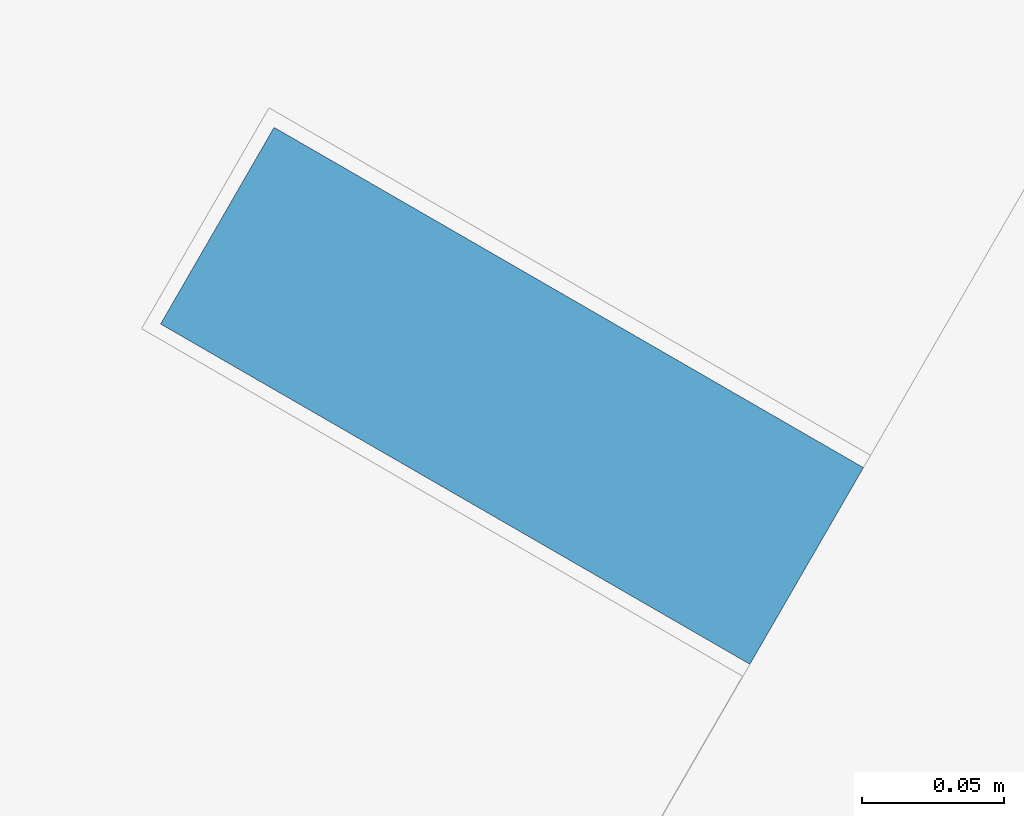
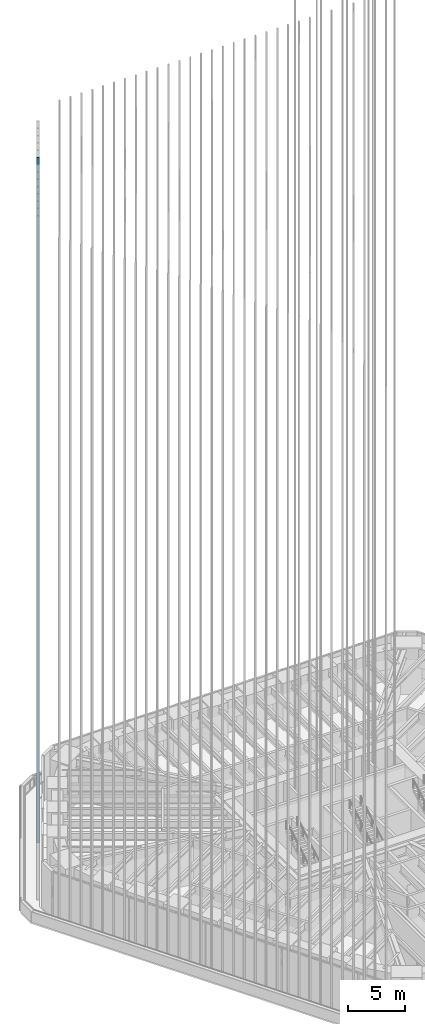
# One storey, part 145 of 228: 1 member, 1 element without a shape of its own.
"""IFC4 building model written with IfcOpenShell, lengths in metres."""

from ifc_helpers import new_model, si_unit, direction, frame, origin, origin_2d, place, context, subcontext, project, spatial, rectangle, extrude, material, material_profile, profile_set, type_object, element, aggregate, save


model = new_model("IFC4")

# Units and contexts
model_context = context("Model", 3, precision=1e-05, world=origin(), true_north=direction((0.0, 1.0)))
body_context = subcontext(model_context, "Body", "Model", "MODEL_VIEW")
ifc_project = project(units=[si_unit("LENGTHUNIT", "METRE"), si_unit("AREAUNIT", "SQUARE_METRE"), si_unit("VOLUMEUNIT", "CUBIC_METRE"), si_unit("PLANEANGLEUNIT", "RADIAN"), si_unit("MASSUNIT", "GRAM", prefix="KILO")], contexts=[model_context])

# Site, building, storey
site_placement = place(None, origin())
site = spatial("IfcSite", under=ifc_project, at=site_placement, CompositionType="ELEMENT")
building_placement = place(site_placement, origin())
building = spatial("IfcBuilding", under=site, at=building_placement, Name="Sandreach Pilgrim Tower", CompositionType="ELEMENT")
storey_placement = place(building_placement, frame((0.0, 0.0, 178.199951171875)))
storey = spatial("IfcBuildingStorey", under=building, at=storey_placement, Name="L44", CompositionType="ELEMENT", Elevation=178.199951171875)

# Curtain wall, member
ifc_material_1 = material(Name="Aluminium framed curtain wall", Category="aluminium")
curtain_wall_type = type_object("IfcCurtainWallType", Name="Upper hotel tower curtain wall", PredefinedType="NOTDEFINED", material=ifc_material_1)
curtain_wall_placement = place(storey_placement, origin())
curtain_wall = element("IfcCurtainWall", 1, at=curtain_wall_placement, inside=storey, type_object=curtain_wall_type, Name="CW-3 L44 NW", PredefinedType="NOTDEFINED")
ifc_material_2 = material(Name="Extruded terracotta on aluminium core", Category="masonry")
ifc_material_profile = material_profile(ifc_material_2, rectangle(XDim=0.080078125, YDim=0.239990234375, at=origin_2d()), Name="TBW 80X240")
ifc_profile_set = profile_set([ifc_material_profile], Name="Extruded terracotta on aluminium core")
member_type = type_object("IfcMemberType", Name="Terracotta baguette west", PredefinedType="USERDEFINED", material=ifc_profile_set)
member_placement = place(storey_placement, frame((-22.501220703125, 14.9169921875, 0.0), z_axis=(0.0, 0.0, 1.0), x_axis=(0.5, 0.866025403784, 0.0)))
member = element("IfcMember", 2, at=member_placement, type_object=member_type, Name="Baguette Z3 NW09", ObjectType="BAGUETTE", PredefinedType="USERDEFINED", context=body_context, shape_type="SweptSolid", body=[
    extrude(rectangle(XDim=0.080078125, YDim=0.239990234375, at=origin_2d()), origin(), (0.0, 0.0, 1.0), 73.239990234375),
])
aggregate(curtain_wall, [member])

save(model, "model.ifc")
